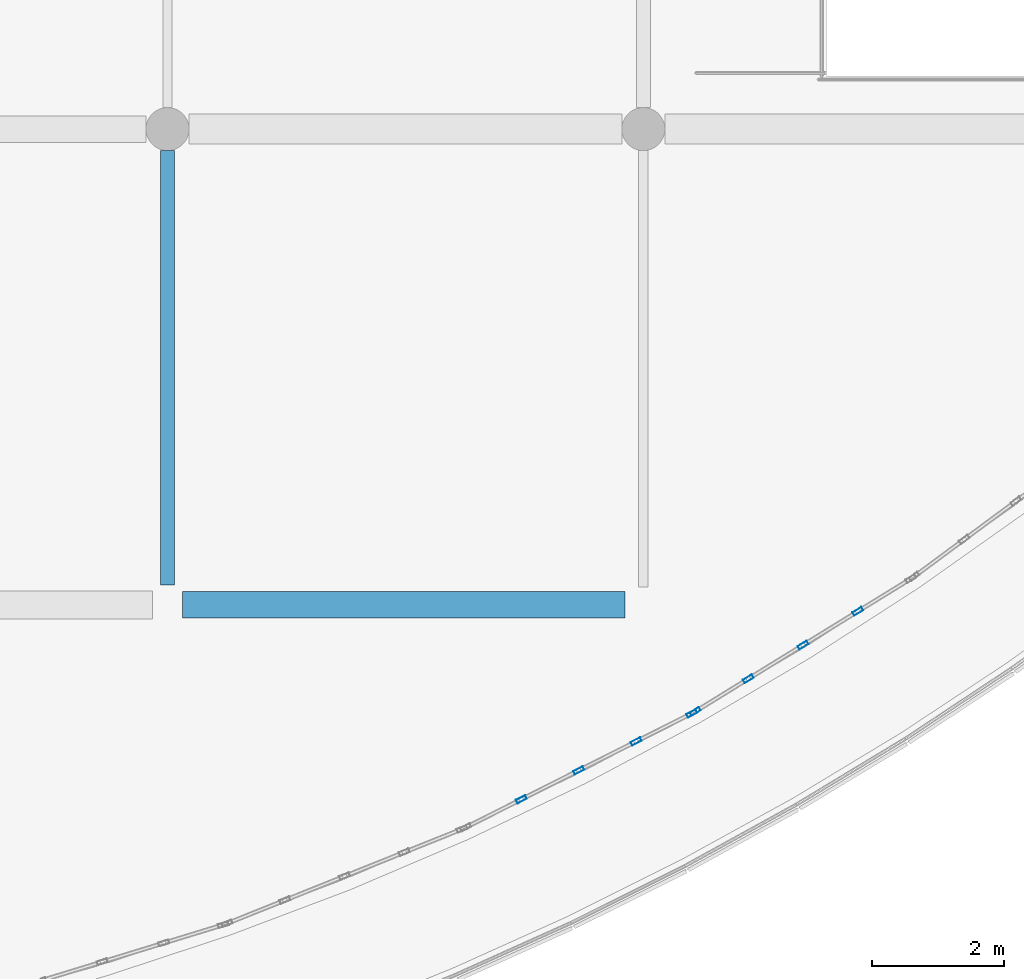
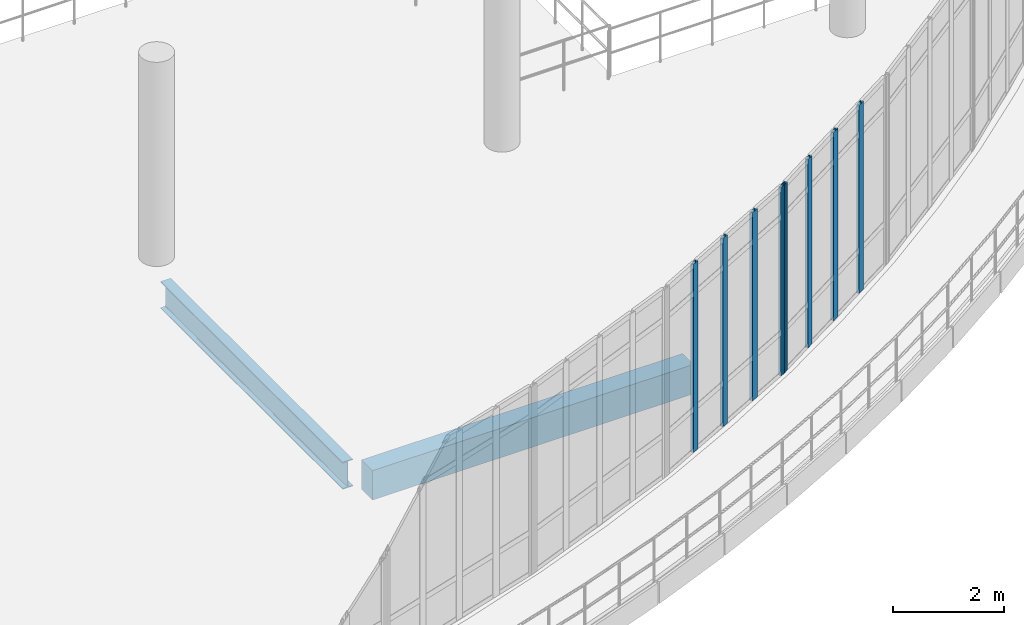
# One storey, part 37 of 116: 8 members, 2 beams, 2 elements without a shape of their own.
"""IFC4 building model written with IfcOpenShell, lengths in metres."""

from ifc_helpers import new_model, si_unit, direction, frame, origin, origin_2d, place, context, subcontext, project, spatial, rectangle, hollow_rectangle, i_section, extrude, material, material_profile, profile_set, type_object, element, aggregate, save


model = new_model("IFC4")

# Units and contexts
model_context = context("Model", 3, precision=1e-05, world=origin(), true_north=direction((0.0, 1.0)))
body_context = subcontext(model_context, "Body", "Model", "MODEL_VIEW")
ifc_project = project(units=[si_unit("LENGTHUNIT", "METRE"), si_unit("AREAUNIT", "SQUARE_METRE"), si_unit("VOLUMEUNIT", "CUBIC_METRE"), si_unit("PLANEANGLEUNIT", "RADIAN"), si_unit("MASSUNIT", "GRAM", prefix="KILO")], contexts=[model_context])

# Site, building, storey
site_placement = place(None, origin())
site = spatial("IfcSite", under=ifc_project, at=site_placement, CompositionType="ELEMENT")
building_placement = place(site_placement, origin())
building = spatial("IfcBuilding", under=site, at=building_placement, Name="Kalluvel Institute of Natural Sciences", CompositionType="ELEMENT")
storey_placement = place(building_placement, frame((0.0, 0.0, 14.39990234375)))
storey = spatial("IfcBuildingStorey", under=building, at=storey_placement, Name="L03", CompositionType="ELEMENT", Elevation=14.39990234375)

# Beams
ifc_material_1 = material(Name="Steel E350 Grade 350", Category="steel")
ifc_material_profile_1 = material_profile(ifc_material_1, i_section(OverallWidth=0.2099609375, OverallDepth=0.60009765625, WebThickness=0.011962890625, FlangeThickness=0.020751953125, FilletRadius=0.02001953125, at=origin_2d()), Name="ISMB 600")
ifc_profile_set_1 = profile_set([ifc_material_profile_1], Name="Steel E350 Grade 350")
beam_type_1 = type_object("IfcBeamType", Name="BM-ISMB600", PredefinedType="BEAM", material=ifc_profile_set_1)
beam_1_placement = place(storey_placement, frame((50.0, 64.699951171875, -0.619873046875), z_axis=(0.0, 1.0, 0.0), x_axis=(-1.0, 0.0, 0.0)))
element("IfcBeam", 1, at=beam_1_placement, inside=storey, type_object=beam_type_1, Name="L03 girder GIR-L03-NS-X500-Y644", PredefinedType="BEAM", context=body_context, shape_type="SweptSolid", body=[
    extrude(i_section(OverallWidth=0.2099609375, OverallDepth=0.60009765625, WebThickness=0.011962890625, FlangeThickness=0.020751953125, FilletRadius=0.02001953125, at=origin_2d()), origin(), (0.0, 0.0, 1.0), 6.574951171875),
])
ifc_material_2 = material(Name="Concrete M40", Category="concrete")
ifc_material_profile_2 = material_profile(ifc_material_2, rectangle(XDim=0.39990234375, YDim=0.64990234375, at=origin_2d()), Name="RCB 400x650")
ifc_profile_set_2 = profile_set([ifc_material_profile_2], Name="Concrete M40")
beam_type_2 = type_object("IfcBeamType", Name="BM-RC400x650", PredefinedType="BEAM", material=ifc_profile_set_2)
beam_2_placement = place(storey_placement, frame((50.22509765625, 64.39990234375, -0.64501953125), z_axis=(1.0, 0.0, 0.0), x_axis=(0.0, 1.0, 0.0)))
element("IfcBeam", 2, at=beam_2_placement, inside=storey, type_object=beam_type_2, Name="L03 girder GIR-L03-EW-X500-Y644", PredefinedType="BEAM", context=body_context, shape_type="SweptSolid", body=[
    extrude(rectangle(XDim=0.39990234375, YDim=0.64990234375, at=origin_2d()), origin(), (0.0, 0.0, 1.0), 6.699951171875),
])

# Curtain wall, members
ifc_material_3 = material(Name="Aluminium AW-6063 T6", Category="aluminium")
curtain_wall_type = type_object("IfcCurtainWallType", Name="CW-ATR-ARC", PredefinedType="USERDEFINED", material=ifc_material_3)
curtain_wall_1_placement = place(storey_placement, origin())
curtain_wall_1 = element("IfcCurtainWall", 3, at=curtain_wall_1_placement, inside=storey, type_object=curtain_wall_type, Name="L03 Gothic lancet curtain wall CWA-L03-X545-Y610", ObjectType="UNITISED LANCET FACADE", PredefinedType="USERDEFINED")
ifc_material_profile_3 = material_profile(ifc_material_3, hollow_rectangle(XDim=0.06005859375, YDim=0.159912109375, WallThickness=0.00390625, at=origin_2d()), Name="CWM 60x160")
ifc_profile_set_3 = profile_set([ifc_material_profile_3], Name="Aluminium AW-6063 T6")
member_type = type_object("IfcMemberType", Name="CWM-60x160", PredefinedType="MULLION", material=ifc_profile_set_3)
member_1_placement = place(storey_placement, frame((55.3544921875, 61.458251953125, 0.0), z_axis=(0.0, 0.0, 1.0), x_axis=(-0.450201992484, 0.892926741655, 0.0)))
member_1 = element("IfcMember", 4, at=member_1_placement, type_object=member_type, Name="CW-05 mullion 2", PredefinedType="MULLION", context=body_context, shape_type="SweptSolid", body=[
    extrude(hollow_rectangle(XDim=0.06005859375, YDim=0.159912109375, WallThickness=0.00390625, at=origin_2d()), origin(), (0.0, 0.0, 1.0), 4.150146484375),
])
member_2_placement = place(storey_placement, frame((56.22314453125, 61.896240234375, 0.0), z_axis=(0.0, 0.0, 1.0), x_axis=(-0.450201992484, 0.892926741655, 0.0)))
member_2 = element("IfcMember", 5, at=member_2_placement, type_object=member_type, Name="CW-05 mullion 3", PredefinedType="MULLION", context=body_context, shape_type="SweptSolid", body=[
    extrude(hollow_rectangle(XDim=0.06005859375, YDim=0.159912109375, WallThickness=0.00390625, at=origin_2d()), origin(), (0.0, 0.0, 1.0), 4.150146484375),
])
member_3_placement = place(storey_placement, frame((57.092041015625, 62.334228515625, 0.0), z_axis=(0.0, 0.0, 1.0), x_axis=(-0.450201992484, 0.892926741655, 0.0)))
member_3 = element("IfcMember", 6, at=member_3_placement, type_object=member_type, Name="CW-05 mullion 4", PredefinedType="MULLION", context=body_context, shape_type="SweptSolid", body=[
    extrude(hollow_rectangle(XDim=0.06005859375, YDim=0.159912109375, WallThickness=0.00390625, at=origin_2d()), origin(), (0.0, 0.0, 1.0), 4.150146484375),
])
member_4_placement = place(storey_placement, frame((57.93408203125, 62.7587890625, 0.0), z_axis=(0.0, 0.0, 1.0), x_axis=(-0.450201992484, 0.892926741655, 0.0)))
member_4 = element("IfcMember", 7, at=member_4_placement, type_object=member_type, Name="CW-05 mullion 5", PredefinedType="MULLION", context=body_context, shape_type="SweptSolid", body=[
    extrude(hollow_rectangle(XDim=0.06005859375, YDim=0.159912109375, WallThickness=0.00390625, at=origin_2d()), origin(), (0.0, 0.0, 1.0), 4.150146484375),
])
aggregate(curtain_wall_1, [member_1, member_2, member_3, member_4])

curtain_wall_2_placement = place(storey_placement, origin())
curtain_wall_2 = element("IfcCurtainWall", 8, at=curtain_wall_2_placement, inside=storey, type_object=curtain_wall_type, Name="L03 Gothic lancet curtain wall CWA-L03-X580-Y628", ObjectType="UNITISED LANCET FACADE", PredefinedType="USERDEFINED")
member_5_placement = place(storey_placement, frame((57.986328125, 62.7880859375, 0.0), z_axis=(0.0, 0.0, 1.0), x_axis=(-0.524305285442, 0.851530368019, 0.0)))
member_5 = element("IfcMember", 9, at=member_5_placement, type_object=member_type, Name="CW-05 mullion 1", PredefinedType="MULLION", context=body_context, shape_type="SweptSolid", body=[
    extrude(hollow_rectangle(XDim=0.06005859375, YDim=0.159912109375, WallThickness=0.00390625, at=origin_2d()), origin(), (0.0, 0.0, 1.0), 4.150146484375),
])
member_6_placement = place(storey_placement, frame((58.789306640625, 63.282470703125, 0.0), z_axis=(0.0, 0.0, 1.0), x_axis=(-0.524305285442, 0.851530368019, 0.0)))
member_6 = element("IfcMember", 10, at=member_6_placement, type_object=member_type, Name="CW-05 mullion 2", PredefinedType="MULLION", context=body_context, shape_type="SweptSolid", body=[
    extrude(hollow_rectangle(XDim=0.06005859375, YDim=0.159912109375, WallThickness=0.00390625, at=origin_2d()), origin(), (0.0, 0.0, 1.0), 4.150146484375),
])
member_7_placement = place(storey_placement, frame((59.617919921875, 63.79248046875, 0.0), z_axis=(0.0, 0.0, 1.0), x_axis=(-0.524305285442, 0.851530368019, 0.0)))
member_7 = element("IfcMember", 11, at=member_7_placement, type_object=member_type, Name="CW-05 mullion 3", PredefinedType="MULLION", context=body_context, shape_type="SweptSolid", body=[
    extrude(hollow_rectangle(XDim=0.06005859375, YDim=0.159912109375, WallThickness=0.00390625, at=origin_2d()), origin(), (0.0, 0.0, 1.0), 4.150146484375),
])
member_8_placement = place(storey_placement, frame((60.4462890625, 64.302734375, 0.0), z_axis=(0.0, 0.0, 1.0), x_axis=(-0.524305285442, 0.851530368019, 0.0)))
member_8 = element("IfcMember", 12, at=member_8_placement, type_object=member_type, Name="CW-05 mullion 4", PredefinedType="MULLION", context=body_context, shape_type="SweptSolid", body=[
    extrude(hollow_rectangle(XDim=0.06005859375, YDim=0.159912109375, WallThickness=0.00390625, at=origin_2d()), origin(), (0.0, 0.0, 1.0), 4.150146484375),
])
aggregate(curtain_wall_2, [member_5, member_6, member_7, member_8])

save(model, "model.ifc")
